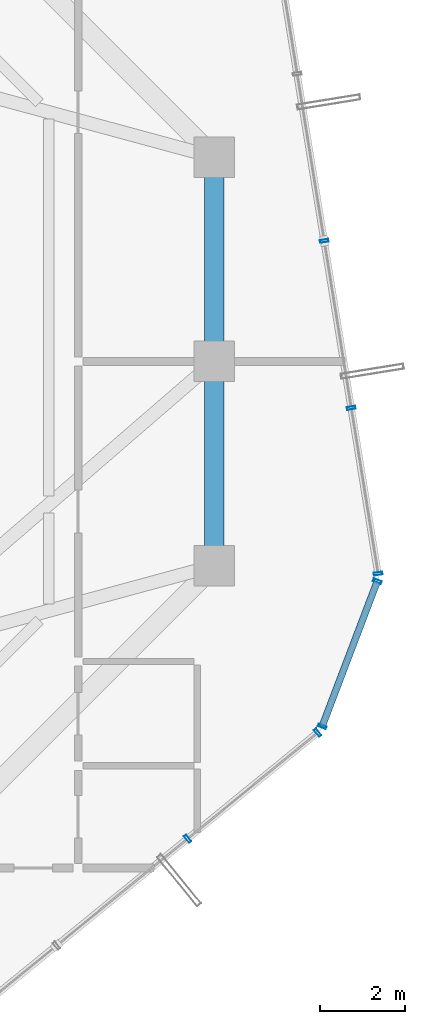
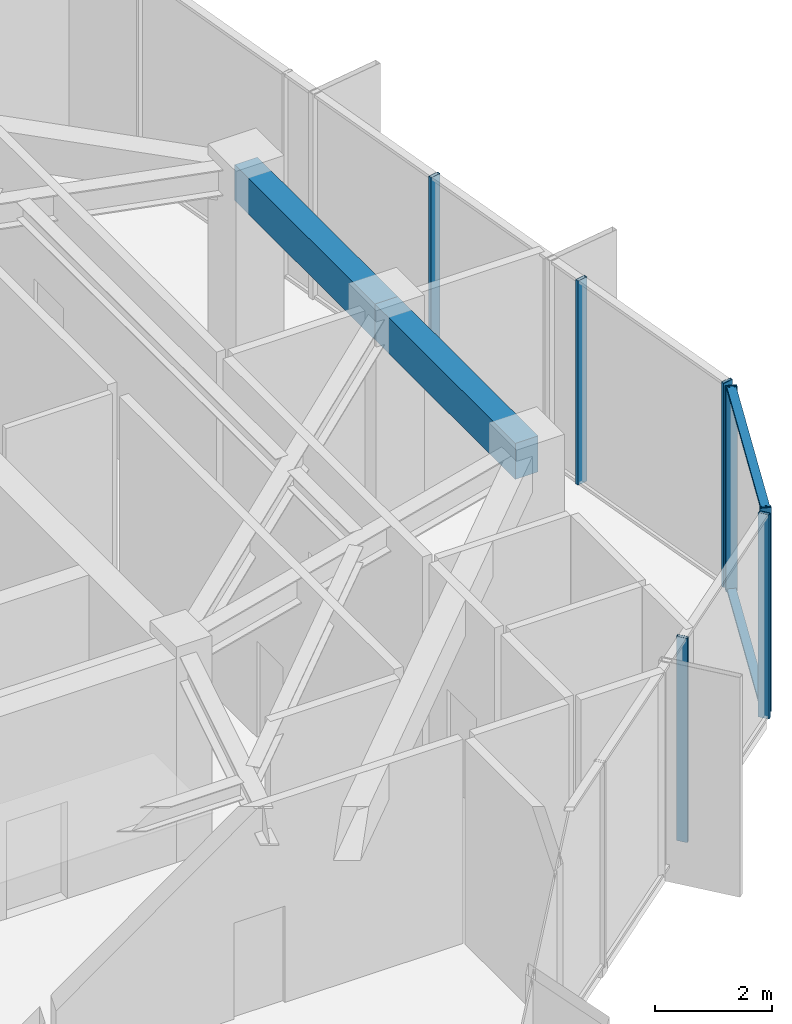
# One storey, part 12 of 22: 9 members, 2 beams, 3 elements without a shape of their own.
"""IFC4 building model written with IfcOpenShell, lengths in metres."""

import ifcopenshell
import ifcopenshell.guid

model = None  # the IFC model being written
_history = None  # IfcOwnerHistory: only IFC2X3 demands one
_inside = {}  # id of a spatial element -> (the spatial element, [elements in it])
_under = {}  # id of a project, library or spatial element -> (it, [spatial elements below it])
_declared = {}  # id of a project -> (the project, [libraries it declares])
_typed = {}  # id of a type object -> (the type object, [elements of that type])
_made_of = {}  # id of a material, layer set ... -> (it, [elements and type objects made of it])


def new_model(schema):
    """Start an empty IFC model of exactly this schema.

    Asked for "IFC4X3", IfcOpenShell would pick the latest addendum, in which some entities
    have other attributes; the version numbers below select the first issue.
    IFC2X3 requires an IfcOwnerHistory on every rooted entity: one is made here for all.
    """
    global model, _history
    if schema == "IFC4X3":
        model = ifcopenshell.file(schema_version=(4, 3, 0, 0))
    else:
        model = ifcopenshell.file(schema=schema)
    _inside.clear()
    _under.clear()
    _declared.clear()
    _typed.clear()
    _made_of.clear()
    _history = None
    if model.schema == "IFC2X3":
        org = make("IfcOrganization", Name="unknown")
        user = make(
            "IfcPersonAndOrganization",
            ThePerson=make("IfcPerson", FamilyName="unknown"),
            TheOrganization=org,
        )
        app = make(
            "IfcApplication",
            ApplicationDeveloper=org,
            Version="unknown",
            ApplicationFullName="unknown",
            ApplicationIdentifier="unknown",
        )
        _history = make(
            "IfcOwnerHistory",
            OwningUser=user,
            OwningApplication=app,
            ChangeAction="ADDED",
            CreationDate=0,
        )
    return model


def make(cls, **values):
    """One entity of the class cls with the attributes given. An attribute that is None is left unset."""
    return model.create_entity(
        cls, **{name: value for name, value in values.items() if value is not None}
    )


def rooted(cls, **values):
    """An entity with a GlobalId (a new one), such as an element, a storey or a relation."""
    return make(cls, GlobalId=ifcopenshell.guid.new(), OwnerHistory=_history, **values)


def si_unit(unit_type, name, prefix=None):
    """IfcSIUnit, for example si_unit("LENGTHUNIT", "METRE", prefix="MILLI")."""
    return make("IfcSIUnit", UnitType=unit_type, Prefix=prefix, Name=name)


def assignment(units):
    """IfcUnitAssignment: the units of a project."""
    return None if units is None else make("IfcUnitAssignment", Units=units)


def point(xyz):
    """IfcCartesianPoint."""
    return None if xyz is None else make("IfcCartesianPoint", Coordinates=xyz)


def direction(xyz):
    """IfcDirection."""
    return None if xyz is None else make("IfcDirection", DirectionRatios=xyz)


def frame(location, z_axis=None, x_axis=None):
    """IfcAxis2Placement3D, a coordinate frame: its origin and axes. An axis left out is left unset."""
    return make(
        "IfcAxis2Placement3D",
        Location=point(location),
        Axis=direction(z_axis),
        RefDirection=direction(x_axis),
    )


def frame_2d(location, x_axis=None):
    """IfcAxis2Placement2D, a coordinate frame in the plane: its origin and x axis."""
    return make(
        "IfcAxis2Placement2D", Location=point(location), RefDirection=direction(x_axis)
    )


def origin():
    """The frame at (0, 0, 0) with its axes left unset."""
    return frame((0.0, 0.0, 0.0))


def origin_2d():
    """The frame at (0, 0) in the plane with its x axis left unset."""
    return frame_2d((0.0, 0.0))


def place(relative_to, where):
    """IfcLocalPlacement: puts the frame where relative to a parent placement (None: the world)."""
    return make(
        "IfcLocalPlacement", PlacementRelTo=relative_to, RelativePlacement=where
    )


def context(
    kind, dimensions, precision=None, world=None, true_north=None, identifier=None
):
    """IfcGeometricRepresentationContext, for example the 3D "Model" context."""
    return make(
        "IfcGeometricRepresentationContext",
        ContextIdentifier=identifier,
        ContextType=kind,
        CoordinateSpaceDimension=dimensions,
        Precision=precision,
        WorldCoordinateSystem=world,
        TrueNorth=true_north,
    )


def subcontext(parent, identifier, kind, view, scale=None):
    """IfcGeometricRepresentationSubContext, for example "Body" below "Model"."""
    return make(
        "IfcGeometricRepresentationSubContext",
        ContextIdentifier=identifier,
        ContextType=kind,
        ParentContext=parent,
        TargetScale=scale,
        TargetView=view,
    )


def project(units=None, contexts=None):
    """IfcProject with its units and contexts."""
    return rooted(
        "IfcProject",
        Name="project",
        RepresentationContexts=contexts,
        UnitsInContext=assignment(units),
    )


def spatial(cls, under=None, at=None, **own):
    """A site, building, storey or space (cls), placed at a placement, below another one or the project."""
    s = rooted(cls, ObjectPlacement=at, **own)
    if under is not None:
        _under.setdefault(under.id(), (under, []))[1].append(s)
    return s


def profile(cls, at=None, kind="AREA", **sizes):
    """A parametric profile (cls). Its sizes go by their IFC names, for example OverallWidth=200.0."""
    return make(cls, ProfileType=kind, Position=at, **sizes)


def rectangle(**sizes):
    """IfcRectangleProfileDef."""
    return profile("IfcRectangleProfileDef", **sizes)


def hollow_rectangle(**sizes):
    """IfcRectangleHollowProfileDef."""
    return profile("IfcRectangleHollowProfileDef", **sizes)


def extrude(swept, where, along, depth):
    """IfcExtrudedAreaSolid: the profile swept, set in the frame where, extruded along a direction by depth."""
    return make(
        "IfcExtrudedAreaSolid",
        SweptArea=swept,
        Position=where,
        ExtrudedDirection=direction(along),
        Depth=depth,
    )


def shape(context_of_items, identifier, shape_type, items):
    """IfcShapeRepresentation: the items that make up one representation, for example the "Body"."""
    return make(
        "IfcShapeRepresentation",
        ContextOfItems=context_of_items,
        RepresentationIdentifier=identifier,
        RepresentationType=shape_type,
        Items=items,
    )


def source(mapping_origin, context_of_items, identifier, shape_type, items):
    """IfcRepresentationMap: a shape defined once, which mapped items show again and again."""
    return make(
        "IfcRepresentationMap",
        MappingOrigin=mapping_origin,
        MappedRepresentation=shape(context_of_items, identifier, shape_type, items),
    )


def transform(
    local_origin,
    x_axis=None,
    y_axis=None,
    z_axis=None,
    scale=None,
    scale2=None,
    scale3=None,
    uniform=True,
):
    """IfcCartesianTransformationOperator3D, or its non-uniform kind. x_axis, y_axis, z_axis: its Axis1, 2, 3."""
    if uniform:
        return make(
            "IfcCartesianTransformationOperator3D",
            Axis1=direction(x_axis),
            Axis2=direction(y_axis),
            LocalOrigin=point(local_origin),
            Scale=scale,
            Axis3=direction(z_axis),
        )
    return make(
        "IfcCartesianTransformationOperator3DnonUniform",
        Axis1=direction(x_axis),
        Axis2=direction(y_axis),
        LocalOrigin=point(local_origin),
        Scale=scale,
        Axis3=direction(z_axis),
        Scale2=scale2,
        Scale3=scale3,
    )


def mapped(mapping_source, mapping_target):
    """IfcMappedItem: shows the shape of a source again, moved by a transform."""
    return make(
        "IfcMappedItem", MappingSource=mapping_source, MappingTarget=mapping_target
    )


def material(Name=None, Category=None):
    """IfcMaterial."""
    return make("IfcMaterial", Name=Name, Category=Category)


def layer(
    of_material, thickness, ventilated=None, Name=None, Category=None, Priority=None
):
    """IfcMaterialLayer: one layer of a wall or slab, of a material (None: an air gap)."""
    return make(
        "IfcMaterialLayer",
        Material=of_material,
        LayerThickness=thickness,
        IsVentilated=ventilated,
        Name=Name,
        Category=Category,
        Priority=Priority,
    )


def layer_set(layers, Name=None):
    """IfcMaterialLayerSet."""
    return make("IfcMaterialLayerSet", MaterialLayers=layers, LayerSetName=Name)


def material_profile(
    of_material, cross_section, Name=None, Category=None, Priority=None
):
    """IfcMaterialProfile: a cross section and its material."""
    return make(
        "IfcMaterialProfile",
        Name=Name,
        Material=of_material,
        Profile=cross_section,
        Priority=Priority,
        Category=Category,
    )


def profile_set(profiles, Name=None, composite=None):
    """IfcMaterialProfileSet."""
    return make(
        "IfcMaterialProfileSet",
        Name=Name,
        MaterialProfiles=profiles,
        CompositeProfile=composite,
    )


def made_of(thing, what):
    """Note that an element or type object is made of a material, layer set ...; save() writes the relation."""
    if what is not None:
        _made_of.setdefault(what.id(), (what, []))[1].append(thing)
    return thing


def type_object(cls, material=None, **own):
    """A type object (cls), such as IfcWallType, which elements share."""
    return made_of(rooted(cls, **own), material)


def element(
    cls,
    number,
    at=None,
    inside=None,
    cuts=None,
    type_object=None,
    material=None,
    context=None,
    identifier="Body",
    shape_type=None,
    held_by="IfcProductDefinitionShape",
    body=None,
    shapes=None,
    **own,
):
    """One element of the class cls, such as IfcWall. Its Tag is "e" and its number.

    at: its placement. inside: the storey or other place that contains it. cuts: it is an
    opening in that element (IfcRelVoidsElement). A single representation is given by context,
    identifier, shape_type and body (its items); several are given by shapes. held_by: the class
    of the entity that holds the representations. save() writes the other relations.
    """
    e = rooted(cls, Tag="e%d" % number, ObjectPlacement=at, **own)
    if body is not None:
        shapes = [shape(context, identifier, shape_type, body)]
    if shapes is not None:
        e.Representation = make(held_by, Representations=shapes)
    if inside is not None:
        _inside.setdefault(inside.id(), (inside, []))[1].append(e)
    if cuts is not None:
        rooted(
            "IfcRelVoidsElement", RelatingBuildingElement=cuts, RelatedOpeningElement=e
        )
    if type_object is not None:
        _typed.setdefault(type_object.id(), (type_object, []))[1].append(e)
    return made_of(e, material)


def aggregate(whole, parts):
    """IfcRelAggregates: a whole, such as a stair, and the parts it consists of."""
    return rooted("IfcRelAggregates", RelatingObject=whole, RelatedObjects=parts)


def save(model, path):
    """Write the relations noted so far, then the file.

    IfcRelAggregates (storeys below a building ...), IfcRelContainedInSpatialStructure (elements
    in a storey), IfcRelDefinesByType, IfcRelAssociatesMaterial and IfcRelDeclares: one each for
    every whole, place, type object, material and project.
    """
    for whole, parts in _under.values():
        aggregate(whole, parts)
    for where, things in _inside.values():
        rooted(
            "IfcRelContainedInSpatialStructure",
            RelatedElements=things,
            RelatingStructure=where,
        )
    for kind, things in _typed.values():
        rooted("IfcRelDefinesByType", RelatedObjects=things, RelatingType=kind)
    for what, things in _made_of.values():
        rooted("IfcRelAssociatesMaterial", RelatedObjects=things, RelatingMaterial=what)
    for by, libraries in _declared.values():
        rooted("IfcRelDeclares", RelatingContext=by, RelatedDefinitions=libraries)
    model.write(path)


model = new_model("IFC4")

# Units and contexts
model_context = context("Model", 3, precision=1e-05, world=origin(), true_north=direction((0.0, 1.0)))
body_context = subcontext(model_context, "Body", "Model", "MODEL_VIEW")
ifc_project = project(units=[si_unit("LENGTHUNIT", "METRE"), si_unit("AREAUNIT", "SQUARE_METRE"), si_unit("VOLUMEUNIT", "CUBIC_METRE"), si_unit("PLANEANGLEUNIT", "RADIAN"), si_unit("MASSUNIT", "GRAM", prefix="KILO")], contexts=[model_context])

# Site, building, storey
site_placement = place(None, origin())
site = spatial("IfcSite", under=ifc_project, at=site_placement, CompositionType="ELEMENT")
building_placement = place(site_placement, origin())
building = spatial("IfcBuilding", under=site, at=building_placement, Name="Veraguas Prism Commons", CompositionType="ELEMENT")
storey_placement = place(building_placement, frame((0.0, 0.0, 174.35009765625)))
storey = spatial("IfcBuildingStorey", under=building, at=storey_placement, Name="L49", CompositionType="ELEMENT", Elevation=174.35009765625)

# Beams
ifc_material_1 = material(Name="Concrete C50/60", Category="concrete")
ifc_material_profile_1 = material_profile(ifc_material_1, rectangle(XDim=0.449951171875, YDim=0.75, at=origin_2d()), Name="RC450X750")
ifc_profile_set_1 = profile_set([ifc_material_profile_1], Name="Concrete C50/60")
beam_type = type_object("IfcBeamType", Name="Perimeter Spandrel Upper RC 450x750", PredefinedType="SPANDREL", material=ifc_profile_set_1)
for number, where, z_axis, x_axis, name in (
    (1, (38.89990234375, 19.199951171875, 3.889892578125), (0.0, 1.0, 0.0), (-1.0, 0.0, 0.0), "Perimeter Spandrel Beam L49-SP01"),
    (2, (38.89990234375, 24.0, 3.889892578125), (0.0, 1.0, 0.0), (-1.0, 0.0, 0.0), "Perimeter Spandrel Beam L49-SP02"),
):
    element("IfcBeam", number, at=place(storey_placement, frame(where, z_axis=z_axis, x_axis=x_axis)), inside=storey, type_object=beam_type, Name=name, PredefinedType="SPANDREL", context=body_context, shape_type="SweptSolid", body=[
        extrude(rectangle(XDim=0.449951171875, YDim=0.75, at=origin_2d()), origin(), (0.0, 0.0, 1.0), 4.800048828125),
    ])

# Curtain wall, members
ifc_material_2 = material(Name="Anodised aluminium EN AW-6063 T6", Category="aluminium")
ifc_layer = layer(ifc_material_2, 0.199951171875, Name="Sky Lobby and Pool Acoustic Curtain Wall", Category="aluminium")
ifc_layer_set = layer_set([ifc_layer], Name="Anodised aluminium EN AW-6063 T6")
curtain_wall_type = type_object("IfcCurtainWallType", Name="Sky Lobby and Pool Acoustic Curtain Wall", PredefinedType="NOTDEFINED", material=ifc_layer_set)
curtain_wall_1_placement = place(storey_placement, origin())
curtain_wall_1 = element("IfcCurtainWall", 3, at=curtain_wall_1_placement, inside=storey, type_object=curtain_wall_type, Name="Tower Facade Curtain Wall L49-F5", PredefinedType="NOTDEFINED")
ifc_material_profile_2 = material_profile(ifc_material_2, hollow_rectangle(XDim=0.06494140625, YDim=0.199951171875, WallThickness=0.00390625, at=origin_2d()), Name="AL65X200X4")
ifc_profile_set_2 = profile_set([ifc_material_profile_2], Name="Anodised aluminium EN AW-6063 T6")
member_type_1 = type_object("IfcMemberType", Name="Curtain Wall Mullion Heavy AL 65x200x4", PredefinedType="MULLION", material=ifc_profile_set_2)
shared_shape_1 = source(origin(), body_context, "Body", "SweptSolid", [
    extrude(hollow_rectangle(XDim=0.06494140625, YDim=0.199951171875, WallThickness=0.00390625, at=origin_2d()), origin(), (0.0, 0.0, 1.0), 4.264892578125),
])
member_1_placement = place(storey_placement, frame((38.274169921875, 12.788330078125, 0.0), z_axis=(0.0, 0.0, 1.0), x_axis=(0.774941179396, 0.632033360256, 0.0)))
member_1 = element("IfcMember", 4, at=member_1_placement, type_object=member_type_1, Name="CW-SKY Mullion 4", PredefinedType="MULLION", context=body_context, shape_type="MappedRepresentation", body=[
    mapped(shared_shape_1, transform((0.0, 0.0, 0.0), scale=1.0)),
])
member_2_placement = place(storey_placement, frame((41.329833984375, 15.280517578125, 0.0), z_axis=(0.0, 0.0, 1.0), x_axis=(0.774941179396, 0.632033360256, 0.0)))
member_2 = element("IfcMember", 5, at=member_2_placement, type_object=member_type_1, Name="CW-SKY Mullion 5", PredefinedType="MULLION", context=body_context, shape_type="MappedRepresentation", body=[
    mapped(shared_shape_1, transform((0.0, 0.0, 0.0), scale=1.0)),
])
aggregate(curtain_wall_1, [member_1, member_2])

curtain_wall_2_placement = place(storey_placement, origin())
curtain_wall_2 = element("IfcCurtainWall", 6, at=curtain_wall_2_placement, inside=storey, type_object=curtain_wall_type, Name="Tower Facade Curtain Wall L49-F6", PredefinedType="NOTDEFINED")
member_3_placement = place(storey_placement, frame((42.748291015625, 19.0146484375, 0.0), z_axis=(0.0, 0.0, 1.0), x_axis=(-0.159874296177, 0.98713738123, 0.0)))
member_3 = element("IfcMember", 7, at=member_3_placement, type_object=member_type_1, Name="CW-SKY Mullion 1", PredefinedType="MULLION", context=body_context, shape_type="MappedRepresentation", body=[
    mapped(shared_shape_1, transform((0.0, 0.0, 0.0), scale=1.0)),
])
member_4_placement = place(storey_placement, frame((42.117919921875, 22.906982421875, 0.0), z_axis=(0.0, 0.0, 1.0), x_axis=(-0.159874296177, 0.98713738123, 0.0)))
member_4 = element("IfcMember", 8, at=member_4_placement, type_object=member_type_1, Name="CW-SKY Mullion 2", PredefinedType="MULLION", context=body_context, shape_type="MappedRepresentation", body=[
    mapped(shared_shape_1, transform((0.0, 0.0, 0.0), scale=1.0)),
])
member_5_placement = place(storey_placement, frame((41.482421875, 26.83154296875, 0.0), z_axis=(0.0, 0.0, 1.0), x_axis=(-0.159874296177, 0.98713738123, 0.0)))
member_5 = element("IfcMember", 9, at=member_5_placement, type_object=member_type_1, Name="CW-SKY Mullion 3", PredefinedType="MULLION", context=body_context, shape_type="MappedRepresentation", body=[
    mapped(shared_shape_1, transform((0.0, 0.0, 0.0), scale=1.0)),
])
aggregate(curtain_wall_2, [member_3, member_4, member_5])

curtain_wall_3_placement = place(storey_placement, origin())
curtain_wall_3 = element("IfcCurtainWall", 10, at=curtain_wall_3_placement, inside=storey, type_object=curtain_wall_type, Name="Chamfer Curtain Wall L49-C6", PredefinedType="NOTDEFINED")
member_6_placement = place(storey_placement, frame((41.434326171875, 15.42529296875, 0.0), z_axis=(0.0, 0.0, 1.0), x_axis=(0.355106962408, 0.934825676396, 0.0)))
member_6 = element("IfcMember", 11, at=member_6_placement, type_object=member_type_1, Name="CW-SKY Mullion 1", PredefinedType="MULLION", context=body_context, shape_type="MappedRepresentation", body=[
    mapped(shared_shape_1, transform((0.0, 0.0, 0.0), scale=1.0)),
])
member_7_placement = place(storey_placement, frame((42.73046875, 18.8369140625, 0.0), z_axis=(0.0, 0.0, 1.0), x_axis=(0.355106962408, 0.934825676396, 0.0)))
member_7 = element("IfcMember", 12, at=member_7_placement, type_object=member_type_1, Name="CW-SKY Mullion 2", PredefinedType="MULLION", context=body_context, shape_type="MappedRepresentation", body=[
    mapped(shared_shape_1, transform((0.0, 0.0, 0.0), scale=1.0)),
])
ifc_material_profile_3 = material_profile(ifc_material_2, hollow_rectangle(XDim=0.06005859375, YDim=0.159912109375, WallThickness=0.0029296875, at=origin_2d()), Name="AL60X160X3")
ifc_profile_set_3 = profile_set([ifc_material_profile_3], Name="Anodised aluminium EN AW-6063 T6")
member_type_2 = type_object("IfcMemberType", Name="Curtain Wall Transom Heavy AL 60x160x3", PredefinedType="USERDEFINED", material=ifc_profile_set_3)
shared_shape_2 = source(origin(), body_context, "Body", "SweptSolid", [
    extrude(hollow_rectangle(XDim=0.06005859375, YDim=0.159912109375, WallThickness=0.0029296875, at=origin_2d()), origin(), (0.0, 0.0, 1.0), 3.649658203125),
])
member_8_placement = place(storey_placement, frame((41.434326171875, 15.42529296875, 0.02978515625), z_axis=(0.355152289794, 0.93480845688, 0.0), x_axis=(0.0, 0.0, 1.0)))
member_8 = element("IfcMember", 13, at=member_8_placement, type_object=member_type_2, Name="CW-SKY Transom 1", ObjectType="TRANSOM", PredefinedType="USERDEFINED", context=body_context, shape_type="MappedRepresentation", body=[
    mapped(shared_shape_2, transform((0.0, 0.0, 0.0), scale=1.0)),
])
member_9_placement = place(storey_placement, frame((41.434326171875, 15.42529296875, 4.23486328125), z_axis=(0.355152289794, 0.93480845688, 0.0), x_axis=(0.0, 0.0, 1.0)))
member_9 = element("IfcMember", 14, at=member_9_placement, type_object=member_type_2, Name="CW-SKY Transom 2", ObjectType="TRANSOM", PredefinedType="USERDEFINED", context=body_context, shape_type="MappedRepresentation", body=[
    mapped(shared_shape_2, transform((0.0, 0.0, 0.0), scale=1.0)),
])
aggregate(curtain_wall_3, [member_6, member_7, member_8, member_9])

save(model, "model.ifc")
